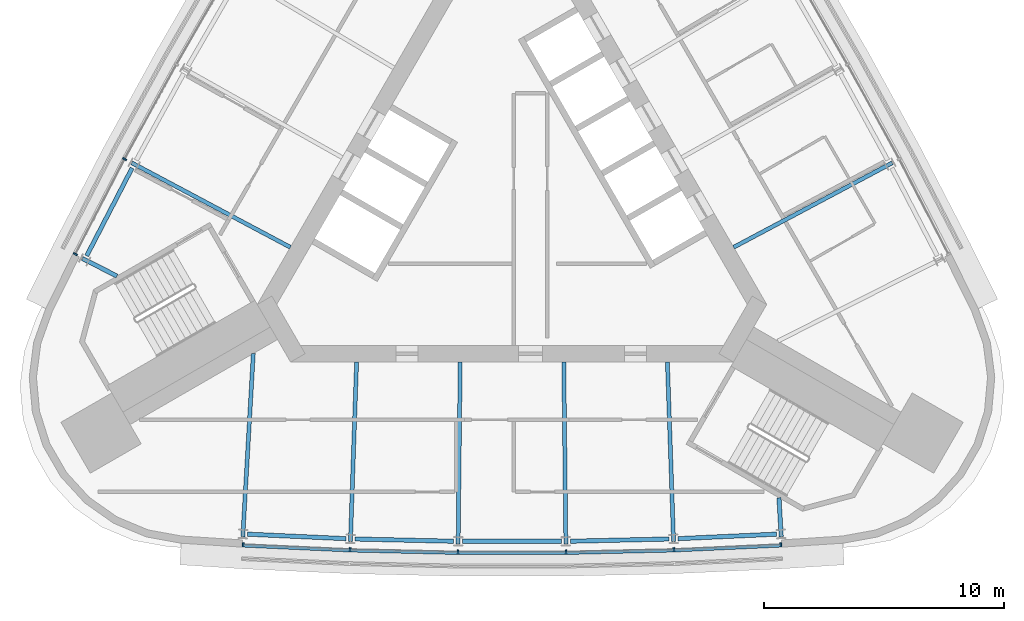
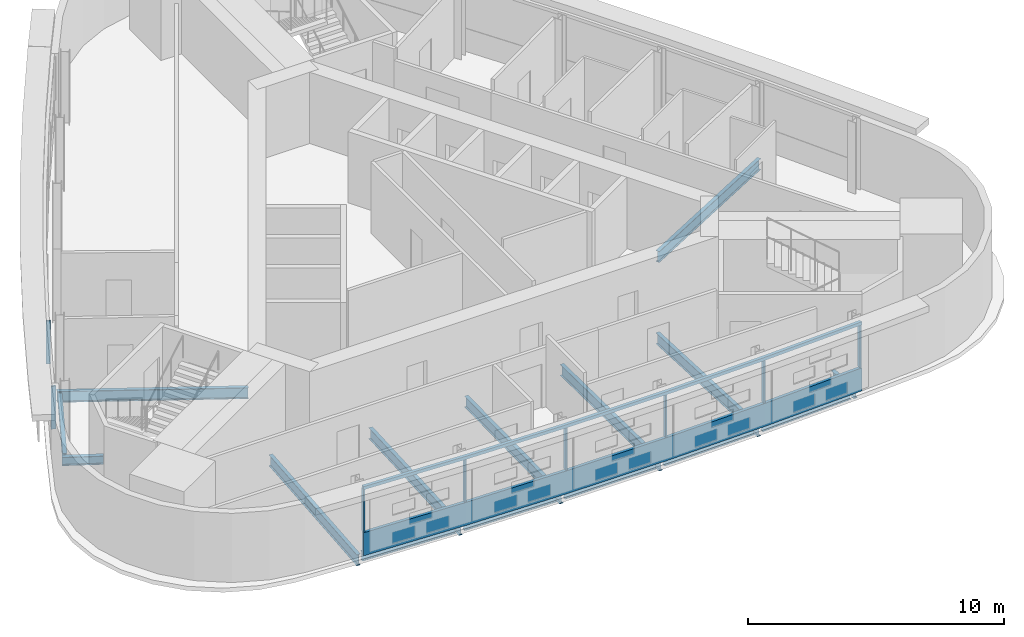
# One storey, part 2 of 10: 15 beams, 10 members, 2 elements without a shape of their own.
"""IFC4 building model written with IfcOpenShell, lengths in metres."""

from ifc_helpers import new_model, si_unit, direction, frame, origin, origin_2d, place, context, subcontext, project, spatial, polyline, rectangle, i_section, outline, extrude, material, material_profile, profile_set, type_object, element, aggregate, save


model = new_model("IFC4")

# Units and contexts
model_context = context("Model", 3, precision=1e-05, world=origin(), true_north=direction((0.0, 1.0)))
body_context = subcontext(model_context, "Body", "Model", "MODEL_VIEW")
ifc_project = project(units=[si_unit("LENGTHUNIT", "METRE"), si_unit("AREAUNIT", "SQUARE_METRE"), si_unit("VOLUMEUNIT", "CUBIC_METRE"), si_unit("PLANEANGLEUNIT", "RADIAN"), si_unit("MASSUNIT", "GRAM", prefix="KILO")], contexts=[model_context])

# Site, building, storey
site_placement = place(None, origin())
site = spatial("IfcSite", under=ifc_project, at=site_placement, CompositionType="ELEMENT")
building_placement = place(site_placement, origin())
building = spatial("IfcBuilding", under=site, at=building_placement, Name="Noor Cloister Tower", CompositionType="ELEMENT")
storey_placement = place(building_placement, frame((0.0, 0.0, 240.0)))
storey = spatial("IfcBuildingStorey", under=building, at=storey_placement, Name="L62", CompositionType="ELEMENT", Elevation=240.0)

# Curtain wall, member
ifc_material_1 = material(Name="Aluminium 6063-T6 anodised", Category="aluminium")
curtain_wall_type = type_object("IfcCurtainWallType", Name="Ribbon curtain wall, upper tower CW5", PredefinedType="NOTDEFINED", material=ifc_material_1)
curtain_wall_1_placement = place(storey_placement, origin())
curtain_wall_1 = element("IfcCurtainWall", 1, at=curtain_wall_1_placement, inside=storey, type_object=curtain_wall_type, Name="CW5 L62 S run 2", PredefinedType="NOTDEFINED")
ifc_material_2 = material(Name="Aluminium 6063-T6 anodised", Category="aluminium")
member_type_1 = type_object("IfcMemberType", Name="Head transom CW5 150", PredefinedType="USERDEFINED", material=ifc_material_2)
member_1_placement = place(storey_placement, frame((0.0, 0.0, 3.14990234375)))
member_1 = element("IfcMember", 2, at=member_1_placement, type_object=member_type_1, Name="CW5 head transom", ObjectType="TRANSOM", PredefinedType="USERDEFINED", context=body_context, shape_type="SweptSolid", body=[
    extrude(outline(polyline([(-11.243896484375, -14.640625), (-6.748779296875, -14.846923828125), (-2.25, -14.949951171875), (2.25, -14.949951171875), (6.748779296875, -14.846923828125), (11.243896484375, -14.640625), (11.2373046875, -14.500732421875), (6.743896484375, -14.706787109375), (2.248291015625, -14.81005859375), (-2.248291015625, -14.81005859375), (-6.743896484375, -14.706787109375), (-11.2373046875, -14.500732421875), (-11.243896484375, -14.640625)])), origin(), (0.0, 0.0, 1.0), 0.150146484375),
])

# Curtain wall, members
curtain_wall_2_placement = place(storey_placement, origin())
curtain_wall_2 = element("IfcCurtainWall", 3, at=curtain_wall_2_placement, inside=storey, type_object=curtain_wall_type, Name="CW5 L62 NW run 1", PredefinedType="NOTDEFINED")
ifc_material_3 = material(Name="Aluminium 6063-T6 anodised", Category="aluminium")
ifc_material_profile_1 = material_profile(ifc_material_3, rectangle(XDim=0.179931640625, YDim=0.070068359375, at=origin_2d()), Name="180 x 70 mullion")
ifc_profile_set_1 = profile_set([ifc_material_profile_1], Name="Aluminium 6063-T6 anodised")
member_type_2 = type_object("IfcMemberType", Name="Mullion CW5 70 x 180", PredefinedType="MULLION", material=ifc_profile_set_1)
member_2_placement = place(storey_placement, frame((-16.143798828125, 1.531982421875, 1.10009765625), z_axis=(0.0, 0.0, 1.0), x_axis=(0.882705052663, -0.469927430572, 0.0)))
member_2 = element("IfcMember", 4, at=member_2_placement, type_object=member_type_2, Name="CW5 mullion 5", PredefinedType="MULLION", context=body_context, shape_type="SweptSolid", body=[
    extrude(rectangle(XDim=0.179931640625, YDim=0.070068359375, at=origin_2d()), origin(), (0.0, 0.0, 1.0), 2.0498046875),
])
member_3_placement = place(storey_placement, frame((-18.196044921875, -2.43212890625, 1.10009765625), z_axis=(0.0, 0.0, 1.0), x_axis=(0.888033907993, -0.459777966255, 0.0)))
member_3 = element("IfcMember", 5, at=member_3_placement, type_object=member_type_2, Name="CW5 mullion 6", PredefinedType="MULLION", context=body_context, shape_type="SweptSolid", body=[
    extrude(rectangle(XDim=0.179931640625, YDim=0.070068359375, at=origin_2d()), origin(), (0.0, 0.0, 1.0), 2.0498046875),
])
aggregate(curtain_wall_2, [member_2, member_3])

# Member
member_4_placement = place(storey_placement, frame((-11.204345703125, -14.542236328125, 1.10009765625), z_axis=(0.0, 0.0, 1.0), x_axis=(0.045837555119, 0.998948906872, 0.0)))
member_4 = element("IfcMember", 6, at=member_4_placement, type_object=member_type_2, Name="CW5 mullion 1", PredefinedType="MULLION", context=body_context, shape_type="SweptSolid", body=[
    extrude(rectangle(XDim=0.179931640625, YDim=0.070068359375, at=origin_2d()), origin(), (0.0, 0.0, 1.0), 2.0498046875),
])

member_5_placement = place(storey_placement, frame((-6.7451171875, -14.746826171875, 1.10009765625), z_axis=(0.0, 0.0, 1.0), x_axis=(0.034383433521, 0.999408714941, 0.0)))
member_5 = element("IfcMember", 7, at=member_5_placement, type_object=member_type_2, Name="CW5 mullion 2", PredefinedType="MULLION", context=body_context, shape_type="SweptSolid", body=[
    extrude(rectangle(XDim=0.179931640625, YDim=0.070068359375, at=origin_2d()), origin(), (0.0, 0.0, 1.0), 2.0498046875),
])

member_6_placement = place(storey_placement, frame((-2.248779296875, -14.85009765625, 1.10009765625), z_axis=(0.0, 0.0, 1.0), x_axis=(0.011463158728, 0.999934295837, 0.0)))
member_6 = element("IfcMember", 8, at=member_6_placement, type_object=member_type_2, Name="CW5 mullion 3", PredefinedType="MULLION", context=body_context, shape_type="SweptSolid", body=[
    extrude(rectangle(XDim=0.179931640625, YDim=0.070068359375, at=origin_2d()), origin(), (0.0, 0.0, 1.0), 2.0498046875),
])

member_7_placement = place(storey_placement, frame((2.248779296875, -14.85009765625, 1.10009765625), z_axis=(0.0, 0.0, 1.0), x_axis=(-0.011463158728, 0.999934295837, 0.0)))
member_7 = element("IfcMember", 9, at=member_7_placement, type_object=member_type_2, Name="CW5 mullion 4", PredefinedType="MULLION", context=body_context, shape_type="SweptSolid", body=[
    extrude(rectangle(XDim=0.179931640625, YDim=0.070068359375, at=origin_2d()), origin(), (0.0, 0.0, 1.0), 2.0498046875),
])

member_8_placement = place(storey_placement, frame((6.7451171875, -14.746826171875, 1.10009765625), z_axis=(0.0, 0.0, 1.0), x_axis=(-0.034383433521, 0.999408714941, 0.0)))
member_8 = element("IfcMember", 10, at=member_8_placement, type_object=member_type_2, Name="CW5 mullion 5", PredefinedType="MULLION", context=body_context, shape_type="SweptSolid", body=[
    extrude(rectangle(XDim=0.179931640625, YDim=0.070068359375, at=origin_2d()), origin(), (0.0, 0.0, 1.0), 2.0498046875),
])

member_9_placement = place(storey_placement, frame((11.204345703125, -14.542236328125, 1.10009765625), z_axis=(0.0, 0.0, 1.0), x_axis=(-0.045837555119, 0.998948906872, 0.0)))
member_9 = element("IfcMember", 11, at=member_9_placement, type_object=member_type_2, Name="CW5 mullion 6", PredefinedType="MULLION", context=body_context, shape_type="SweptSolid", body=[
    extrude(rectangle(XDim=0.179931640625, YDim=0.070068359375, at=origin_2d()), origin(), (0.0, 0.0, 1.0), 2.0498046875),
])

# Beams
ifc_material_4 = material(Name="Steel ASTM A992 Gr 50", Category="steel")
ifc_material_profile_2 = material_profile(ifc_material_4, i_section(OverallWidth=0.177978515625, OverallDepth=0.406005859375, WebThickness=0.0078125, FlangeThickness=0.0126953125, FilletRadius=0.01025390625, at=origin_2d()), Name="W410x60")
ifc_profile_set_2 = profile_set([ifc_material_profile_2], Name="Steel ASTM A992 Gr 50")
beam_type_1 = type_object("IfcBeamType", Name="Radial beam W410x60", PredefinedType="BEAM", material=ifc_profile_set_2)
for number, where, z_axis, x_axis, name in (
    (12, (-17.913330078125, -2.6123046875, -0.403076171875), (0.893252544543, -0.449555215372, 0.0), (0.449555215372, 0.893252544543, 0.0), "Radial beam NW 06 L62"),
    (13, (11.218994140625, -14.207275390625, -0.403076171875), (-0.057225162394, 0.998361297722, 0.0), (-0.998361297722, -0.057225162394, 0.0), "Radial beam S 06 L62"),
):
    element("IfcBeam", number, at=place(storey_placement, frame(where, z_axis=z_axis, x_axis=x_axis)), inside=storey, type_object=beam_type_1, Name=name, PredefinedType="BEAM", context=body_context, shape_type="SweptSolid", body=[
        extrude(i_section(OverallWidth=0.177978515625, OverallDepth=0.406005859375, WebThickness=0.0078125, FlangeThickness=0.0126953125, FilletRadius=0.01025390625, at=origin_2d()), origin(), (0.0, 0.0, 1.0), 1.62548828125),
    ])
ifc_material_5 = material(Name="Steel ASTM A992 Gr 50", Category="steel")
ifc_material_profile_3 = material_profile(ifc_material_5, i_section(OverallWidth=0.166015625, OverallDepth=0.528076171875, WebThickness=0.009765625, FlangeThickness=0.013671875, FilletRadius=0.0126953125, at=origin_2d()), Name="W530x74")
ifc_profile_set_3 = profile_set([ifc_material_profile_3], Name="Steel ASTM A992 Gr 50")
beam_type_2 = type_object("IfcBeamType", Name="Radial beam W530x74", PredefinedType="BEAM", material=ifc_profile_set_3)
beam_1_placement = place(storey_placement, frame((-15.848876953125, 1.375, -0.464111328125), z_axis=(0.882699214966, -0.469938395855, 0.0), x_axis=(0.469938395855, 0.882699214966, 0.0)))
element("IfcBeam", 14, at=beam_1_placement, inside=storey, type_object=beam_type_2, Name="Radial beam NW 05 L62", PredefinedType="BEAM", context=body_context, shape_type="SweptSolid", body=[
    extrude(i_section(OverallWidth=0.166015625, OverallDepth=0.528076171875, WebThickness=0.009765625, FlangeThickness=0.013671875, FilletRadius=0.0126953125, at=origin_2d()), origin(), (0.0, 0.0, 1.0), 7.4892578125),
])
beam_2_placement = place(storey_placement, frame((-11.218994140625, -14.207275390625, -0.464111328125), z_axis=(0.057292483736, 0.998357436646, 0.0), x_axis=(-0.998357436646, 0.057292483736, 0.0)))
element("IfcBeam", 15, at=beam_2_placement, inside=storey, type_object=beam_type_2, Name="Radial beam S 01 L62", PredefinedType="BEAM", context=body_context, shape_type="SweptSolid", body=[
    extrude(i_section(OverallWidth=0.166015625, OverallDepth=0.528076171875, WebThickness=0.009765625, FlangeThickness=0.013671875, FilletRadius=0.0126953125, at=origin_2d()), origin(), (0.0, 0.0, 1.0), 7.64892578125),
])
beam_3_placement = place(storey_placement, frame((-6.733642578125, -14.4130859375, -0.464111328125), z_axis=(0.034358982056, 0.999409555864, 0.0), x_axis=(-0.999409555864, 0.034358982056, 0.0)))
element("IfcBeam", 16, at=beam_3_placement, inside=storey, type_object=beam_type_2, Name="Radial beam S 02 L62", PredefinedType="BEAM", context=body_context, shape_type="SweptSolid", body=[
    extrude(i_section(OverallWidth=0.166015625, OverallDepth=0.528076171875, WebThickness=0.009765625, FlangeThickness=0.013671875, FilletRadius=0.0126953125, at=origin_2d()), origin(), (0.0, 0.0, 1.0), 7.4892578125),
])
for number, where, z_axis, x_axis, name in (
    (17, (-2.244873046875, -14.51611328125, -0.464111328125), (0.011453560118, 0.999934405829, 0.0), (-0.999934405829, 0.011453560118, 0.0), "Radial beam S 03 L62"),
    (18, (2.244873046875, -14.51611328125, -0.464111328125), (-0.011453560118, 0.999934405829, 0.0), (-0.999934405829, -0.011453560118, 0.0), "Radial beam S 04 L62"),
):
    element("IfcBeam", number, at=place(storey_placement, frame(where, z_axis=z_axis, x_axis=x_axis)), inside=storey, type_object=beam_type_2, Name=name, PredefinedType="BEAM", context=body_context, shape_type="SweptSolid", body=[
        extrude(i_section(OverallWidth=0.166015625, OverallDepth=0.528076171875, WebThickness=0.009765625, FlangeThickness=0.013671875, FilletRadius=0.0126953125, at=origin_2d()), origin(), (0.0, 0.0, 1.0), 7.58837890625),
    ])
for number, where, z_axis, x_axis, name in (
    (19, (6.733642578125, -14.4130859375, -0.464111328125), (-0.034358982056, 0.999409555864, 0.0), (-0.999409555864, -0.034358982056, 0.0), "Radial beam S 05 L62"),
    (20, (15.848876953125, 1.375, -0.464111328125), (-0.882699214966, -0.469938395855, 0.0), (0.469938395855, -0.882699214966, 0.0), "Radial beam NE 02 L62"),
):
    element("IfcBeam", number, at=place(storey_placement, frame(where, z_axis=z_axis, x_axis=x_axis)), inside=storey, type_object=beam_type_2, Name=name, PredefinedType="BEAM", context=body_context, shape_type="SweptSolid", body=[
        extrude(i_section(OverallWidth=0.166015625, OverallDepth=0.528076171875, WebThickness=0.009765625, FlangeThickness=0.013671875, FilletRadius=0.0126953125, at=origin_2d()), origin(), (0.0, 0.0, 1.0), 7.4892578125),
    ])

# Member
ifc_material_6 = material(Name="Aluminium 6063-T6 anodised", Category="aluminium")
member_type_3 = type_object("IfcMemberType", Name="Sill transom CW5 1100", PredefinedType="USERDEFINED", material=ifc_material_6)
member_10_placement = place(storey_placement, origin())
member_10 = element("IfcMember", 21, at=member_10_placement, type_object=member_type_3, Name="CW5 sill transom", ObjectType="TRANSOM", PredefinedType="USERDEFINED", context=body_context, shape_type="SweptSolid", body=[
    extrude(outline(polyline([(-11.243896484375, -14.640625), (-6.748779296875, -14.846923828125), (-2.25, -14.949951171875), (2.25, -14.949951171875), (6.748779296875, -14.846923828125), (11.243896484375, -14.640625), (11.2373046875, -14.500732421875), (6.743896484375, -14.706787109375), (2.248291015625, -14.81005859375), (-2.248291015625, -14.81005859375), (-6.743896484375, -14.706787109375), (-11.2373046875, -14.500732421875), (-11.243896484375, -14.640625)])), origin(), (0.0, 0.0, 1.0), 1.10009765625),
])

aggregate(curtain_wall_1, [member_4, member_5, member_6, member_7, member_8, member_9, member_10, member_1])

# Beams
ifc_material_7 = material(Name="Steel ASTM A992 Gr 50", Category="steel")
ifc_material_profile_4 = material_profile(ifc_material_7, i_section(OverallWidth=0.177978515625, OverallDepth=0.406005859375, WebThickness=0.0078125, FlangeThickness=0.0126953125, FilletRadius=0.01025390625, at=origin_2d()), Name="W410x60")
ifc_profile_set_4 = profile_set([ifc_material_profile_4], Name="Steel ASTM A992 Gr 50")
beam_type_3 = type_object("IfcBeamType", Name="Spandrel beam W410x60", PredefinedType="SPANDREL", material=ifc_profile_set_4)
beam_4_placement = place(storey_placement, frame((-15.832275390625, 1.15478515625, -0.403076171875), z_axis=(-0.459773194778, -0.888036378401, 0.0), x_axis=(0.888036378401, -0.459773194778, 0.0)))
element("IfcBeam", 22, at=beam_4_placement, inside=storey, type_object=beam_type_3, Name="Spandrel beam NW 05 L62", PredefinedType="SPANDREL", context=body_context, shape_type="SweptSolid", body=[
    extrude(i_section(OverallWidth=0.177978515625, OverallDepth=0.406005859375, WebThickness=0.0078125, FlangeThickness=0.0126953125, FilletRadius=0.01025390625, at=origin_2d()), origin(), (0.0, 0.0, 1.0), 4.1142578125),
])
beam_5_placement = place(storey_placement, frame((-11.026123046875, -14.10009765625, -0.403076171875), z_axis=(0.998950230186, -0.045808706724, 0.0), x_axis=(0.045808706724, 0.998950230186, 0.0)))
element("IfcBeam", 23, at=beam_5_placement, inside=storey, type_object=beam_type_3, Name="Spandrel beam S 01 L62", PredefinedType="SPANDREL", context=body_context, shape_type="SweptSolid", body=[
    extrude(i_section(OverallWidth=0.177978515625, OverallDepth=0.406005859375, WebThickness=0.0078125, FlangeThickness=0.0126953125, FilletRadius=0.01025390625, at=origin_2d()), origin(), (0.0, 0.0, 1.0), 4.114501953125),
])
beam_6_placement = place(storey_placement, frame((-6.543212890625, -14.301513671875, -0.403076171875), z_axis=(0.999737621339, -0.02290607953, 0.0), x_axis=(0.02290607953, 0.999737621339, 0.0)))
element("IfcBeam", 24, at=beam_6_placement, inside=storey, type_object=beam_type_3, Name="Spandrel beam S 02 L62", PredefinedType="SPANDREL", context=body_context, shape_type="SweptSolid", body=[
    extrude(i_section(OverallWidth=0.177978515625, OverallDepth=0.406005859375, WebThickness=0.0078125, FlangeThickness=0.0126953125, FilletRadius=0.01025390625, at=origin_2d()), origin(), (0.0, 0.0, 1.0), 4.114013671875),
])
beam_7_placement = place(storey_placement, frame((-2.05712890625, -14.39990234375, -0.403076171875), z_axis=(1.0, 0.0, 0.0), x_axis=(0.0, 1.0, 0.0)))
element("IfcBeam", 25, at=beam_7_placement, inside=storey, type_object=beam_type_3, Name="Spandrel beam S 03 L62", PredefinedType="SPANDREL", context=body_context, shape_type="SweptSolid", body=[
    extrude(i_section(OverallWidth=0.177978515625, OverallDepth=0.406005859375, WebThickness=0.0078125, FlangeThickness=0.0126953125, FilletRadius=0.01025390625, at=origin_2d()), origin(), (0.0, 0.0, 1.0), 4.1142578125),
])
beam_8_placement = place(storey_placement, frame((2.43017578125, -14.395751953125, -0.403076171875), z_axis=(0.999737621339, 0.02290607953, 0.0), x_axis=(-0.02290607953, 0.999737621339, 0.0)))
element("IfcBeam", 26, at=beam_8_placement, inside=storey, type_object=beam_type_3, Name="Spandrel beam S 04 L62", PredefinedType="SPANDREL", context=body_context, shape_type="SweptSolid", body=[
    extrude(i_section(OverallWidth=0.177978515625, OverallDepth=0.406005859375, WebThickness=0.0078125, FlangeThickness=0.0126953125, FilletRadius=0.01025390625, at=origin_2d()), origin(), (0.0, 0.0, 1.0), 4.114013671875),
])
beam_9_placement = place(storey_placement, frame((6.916015625, -14.28857421875, -0.403076171875), z_axis=(0.998950230186, 0.045808706724, 0.0), x_axis=(-0.045808706724, 0.998950230186, 0.0)))
element("IfcBeam", 27, at=beam_9_placement, inside=storey, type_object=beam_type_3, Name="Spandrel beam S 05 L62", PredefinedType="SPANDREL", context=body_context, shape_type="SweptSolid", body=[
    extrude(i_section(OverallWidth=0.177978515625, OverallDepth=0.406005859375, WebThickness=0.0078125, FlangeThickness=0.0126953125, FilletRadius=0.01025390625, at=origin_2d()), origin(), (0.0, 0.0, 1.0), 4.114501953125),
])

save(model, "model.ifc")
